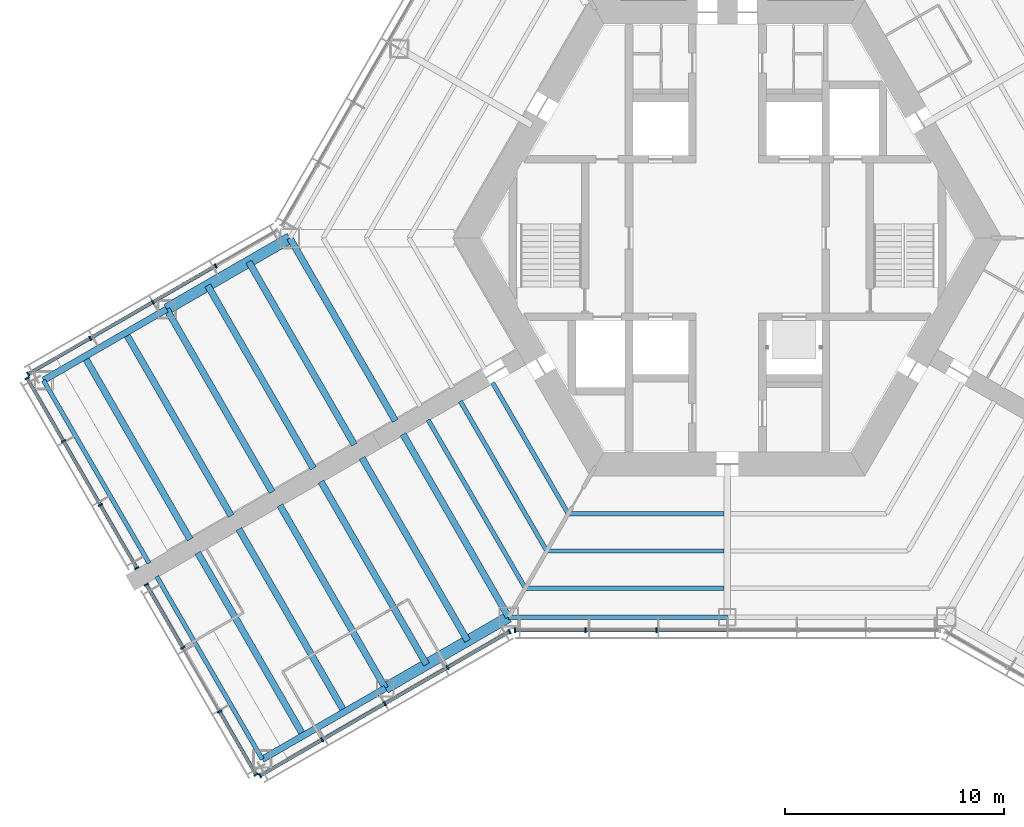
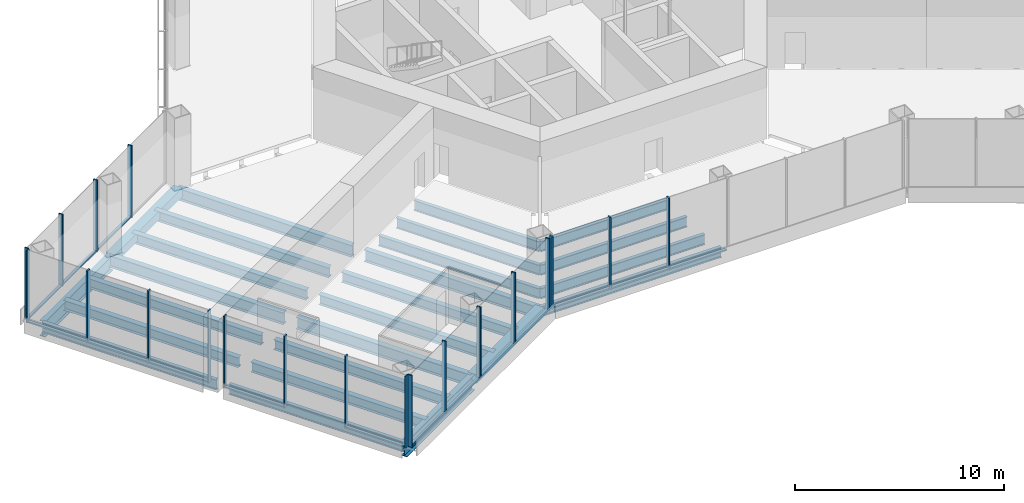
# One storey, part 2 of 18: 35 members, 25 beams, 5 elements without a shape of their own.
"""IFC4 building model written with IfcOpenShell, lengths in metres."""

from ifc_helpers import new_model, si_unit, direction, frame, origin, origin_2d, place, context, subcontext, project, spatial, rectangle, hollow_rectangle, i_section, extrude, material, material_profile, profile_set, type_object, element, aggregate, save


model = new_model("IFC4")

# Units and contexts
model_context = context("Model", 3, precision=1e-05, world=origin(), true_north=direction((0.0, 1.0)))
body_context = subcontext(model_context, "Body", "Model", "MODEL_VIEW")
ifc_project = project(units=[si_unit("LENGTHUNIT", "METRE"), si_unit("AREAUNIT", "SQUARE_METRE"), si_unit("VOLUMEUNIT", "CUBIC_METRE"), si_unit("PLANEANGLEUNIT", "RADIAN"), si_unit("MASSUNIT", "GRAM", prefix="KILO")], contexts=[model_context])

# Site, building, storey
site_placement = place(None, origin())
site = spatial("IfcSite", under=ifc_project, at=site_placement, CompositionType="ELEMENT")
building_placement = place(site_placement, origin())
building = spatial("IfcBuilding", under=site, at=building_placement, Name="Kasaneha Research Tower", CompositionType="ELEMENT")
storey_placement = place(building_placement, frame((0.0, 0.0, 57.0)))
storey = spatial("IfcBuildingStorey", under=building, at=storey_placement, Name="L14", CompositionType="ELEMENT", Elevation=57.0)

# Beams
ifc_material_1 = material(Name="Steel SN490B", Category="steel")
ifc_material_profile_1 = material_profile(ifc_material_1, i_section(OverallWidth=0.199951171875, OverallDepth=0.60009765625, WebThickness=0.010986328125, FlangeThickness=0.01708984375, FilletRadius=0.012939453125, at=origin_2d()), Name="H-600x200x11x17")
ifc_profile_set_1 = profile_set([ifc_material_profile_1], Name="Steel SN490B")
beam_type_1 = type_object("IfcBeamType", Name="B1-4 secondary beam H-600x200x11x17", PredefinedType="JOIST", material=ifc_profile_set_1)
beam_1_placement = place(storey_placement, frame((-7.274658203125, -12.60009765625, -0.469970703125), z_axis=(-0.499972710878, 0.866041158593, 0.0), x_axis=(-0.866041158593, -0.499972710878, 0.0)))
element("IfcBeam", 1, at=beam_1_placement, inside=storey, type_object=beam_type_1, Name="Secondary beam RS210R1 L14", PredefinedType="JOIST", context=body_context, shape_type="SweptSolid", body=[
    extrude(i_section(OverallWidth=0.199951171875, OverallDepth=0.60009765625, WebThickness=0.010986328125, FlangeThickness=0.01708984375, FilletRadius=0.012939453125, at=origin_2d()), origin(), (0.0, 0.0, 1.0), 6.9248046875),
])
beam_2_placement = place(storey_placement, frame((-8.256103515625, -14.300048828125, -0.469970703125), z_axis=(-0.500004902938, 0.866022573054, 0.0), x_axis=(-0.866022573054, -0.500004902938, 0.0)))
element("IfcBeam", 2, at=beam_2_placement, inside=storey, type_object=beam_type_1, Name="Secondary beam RS210R2 L14", PredefinedType="JOIST", context=body_context, shape_type="SweptSolid", body=[
    extrude(i_section(OverallWidth=0.199951171875, OverallDepth=0.60009765625, WebThickness=0.010986328125, FlangeThickness=0.01708984375, FilletRadius=0.012939453125, at=origin_2d()), origin(), (0.0, 0.0, 1.0), 7.90625),
])
beam_3_placement = place(storey_placement, frame((-9.237548828125, -16.0, -0.469970703125), z_axis=(-0.500009382636, 0.866019986649, 0.0), x_axis=(-0.866019986649, -0.500009382636, 0.0)))
element("IfcBeam", 3, at=beam_3_placement, inside=storey, type_object=beam_type_1, Name="Secondary beam RS210R3 L14", PredefinedType="JOIST", context=body_context, shape_type="SweptSolid", body=[
    extrude(i_section(OverallWidth=0.199951171875, OverallDepth=0.60009765625, WebThickness=0.010986328125, FlangeThickness=0.01708984375, FilletRadius=0.012939453125, at=origin_2d()), origin(), (0.0, 0.0, 1.0), 8.887451171875),
])
beam_4_placement = place(storey_placement, frame((-7.274658203125, -12.60009765625, -0.469970703125), z_axis=(1.0, 0.0, 0.0), x_axis=(0.0, 1.0, 0.0)))
element("IfcBeam", 4, at=beam_4_placement, inside=storey, type_object=beam_type_1, Name="Secondary beam RS270L1 L14", PredefinedType="JOIST", context=body_context, shape_type="SweptSolid", body=[
    extrude(i_section(OverallWidth=0.199951171875, OverallDepth=0.60009765625, WebThickness=0.010986328125, FlangeThickness=0.01708984375, FilletRadius=0.012939453125, at=origin_2d()), origin(), (0.0, 0.0, 1.0), 7.124755859375),
])
beam_5_placement = place(storey_placement, frame((-8.256103515625, -14.300048828125, -0.469970703125), z_axis=(1.0, 0.0, 0.0), x_axis=(0.0, 1.0, 0.0)))
element("IfcBeam", 5, at=beam_5_placement, inside=storey, type_object=beam_type_1, Name="Secondary beam RS270L2 L14", PredefinedType="JOIST", context=body_context, shape_type="SweptSolid", body=[
    extrude(i_section(OverallWidth=0.199951171875, OverallDepth=0.60009765625, WebThickness=0.010986328125, FlangeThickness=0.01708984375, FilletRadius=0.012939453125, at=origin_2d()), origin(), (0.0, 0.0, 1.0), 8.106201171875),
])
beam_6_placement = place(storey_placement, frame((-9.237548828125, -16.0, -0.469970703125), z_axis=(1.0, 0.0, 0.0), x_axis=(0.0, 1.0, 0.0)))
element("IfcBeam", 6, at=beam_6_placement, inside=storey, type_object=beam_type_1, Name="Secondary beam RS270L3 L14", PredefinedType="JOIST", context=body_context, shape_type="SweptSolid", body=[
    extrude(i_section(OverallWidth=0.199951171875, OverallDepth=0.60009765625, WebThickness=0.010986328125, FlangeThickness=0.01708984375, FilletRadius=0.012939453125, at=origin_2d()), origin(), (0.0, 0.0, 1.0), 9.087646484375),
])
ifc_material_2 = material(Name="Steel SN490B", Category="steel")
ifc_material_profile_2 = material_profile(ifc_material_2, i_section(OverallWidth=0.300048828125, OverallDepth=0.58203125, WebThickness=0.011962890625, FlangeThickness=0.01708984375, FilletRadius=0.012939453125, at=origin_2d()), Name="H-582x300x12x17")
ifc_profile_set_2 = profile_set([ifc_material_profile_2], Name="Steel SN490B")
beam_type_2 = type_object("IfcBeamType", Name="B2-4 secondary beam H-582x300x12x17", PredefinedType="JOIST", material=ifc_profile_set_2)
beam_7_placement = place(storey_placement, frame((-21.87646484375, -1.083251953125, -0.4609375), z_axis=(0.500013717211, -0.866017484004, 0.0), x_axis=(0.866017484004, 0.500013717211, 0.0)))
element("IfcBeam", 7, at=beam_7_placement, inside=storey, type_object=beam_type_2, Name="Secondary beam WBBP1 L14", PredefinedType="JOIST", context=body_context, shape_type="SweptSolid", body=[
    extrude(i_section(OverallWidth=0.300048828125, OverallDepth=0.58203125, WebThickness=0.011962890625, FlangeThickness=0.01708984375, FilletRadius=0.012939453125, at=origin_2d()), origin(), (0.0, 0.0, 1.0), 9.650146484375),
])
for number, where, z_axis, x_axis, name in (
    (8, (-23.752685546875, -2.166748046875, -0.4609375), (0.499994742786, -0.866028439017, 0.0), (0.866028439017, 0.499994742786, 0.0), "Secondary beam WBBP2 L14"),
    (9, (-27.505615234375, -4.333251953125, -0.4609375), (0.499994742786, -0.866028439017, 0.0), (0.866028439017, 0.499994742786, 0.0), "Secondary beam WBBP3 L14"),
    (10, (-29.3818359375, -5.416748046875, -0.4609375), (0.499994742786, -0.866028439017, 0.0), (0.866028439017, 0.499994742786, 0.0), "Secondary beam WBBP4 L14"),
    (11, (-11.87646484375, -18.40380859375, -0.4609375), (-0.499994742786, 0.866028439017, 0.0), (-0.866028439017, -0.499994742786, 0.0), "Secondary beam WBBN1 L14"),
    (12, (-13.752685546875, -19.487060546875, -0.4609375), (-0.500024672494, 0.866011158645, 0.0), (-0.866011158645, -0.500024672494, 0.0), "Secondary beam WBBN2 L14"),
    (13, (-17.505615234375, -21.65380859375, -0.4609375), (-0.499994742786, 0.866028439017, 0.0), (-0.866028439017, -0.499994742786, 0.0), "Secondary beam WBBN3 L14"),
    (14, (-19.3818359375, -22.737060546875, -0.4609375), (-0.500024672494, 0.866011158645, 0.0), (-0.866011158645, -0.500024672494, 0.0), "Secondary beam WBBN4 L14"),
):
    element("IfcBeam", number, at=place(storey_placement, frame(where, z_axis=z_axis, x_axis=x_axis)), inside=storey, type_object=beam_type_2, Name=name, PredefinedType="JOIST", context=body_context, shape_type="SweptSolid", body=[
        extrude(i_section(OverallWidth=0.300048828125, OverallDepth=0.58203125, WebThickness=0.011962890625, FlangeThickness=0.01708984375, FilletRadius=0.012939453125, at=origin_2d()), origin(), (0.0, 0.0, 1.0), 9.64990234375),
    ])
ifc_material_3 = material(Name="Steel SN490B", Category="steel")
ifc_material_profile_3 = material_profile(ifc_material_3, hollow_rectangle(XDim=0.5, YDim=0.5, WallThickness=0.02197265625, at=origin_2d()), Name="BOX-500x500x22")
ifc_profile_set_3 = profile_set([ifc_material_profile_3], Name="Steel SN490B")
beam_type_3 = type_object("IfcBeamType", Name="BC1-4 belt chord BOX-500x500x22", PredefinedType="BEAM", material=ifc_profile_set_3)
for number, where, z_axis, x_axis, name in (
    (15, (-20.0, 0.0, -0.419921875), (-0.866024837091, -0.50000098154, 0.0), (0.50000098154, -0.866024837091, 0.0), "Belt chord WSBP1 L14"),
    (16, (-10.0, -17.320556640625, -0.419921875), (-0.866024837091, -0.50000098154, 0.0), (0.50000098154, -0.866024837091, 0.0), "Belt chord WSBN1 L14"),
):
    element("IfcBeam", number, at=place(storey_placement, frame(where, z_axis=z_axis, x_axis=x_axis)), inside=storey, type_object=beam_type_3, Name=name, PredefinedType="BEAM", context=body_context, shape_type="SweptSolid", body=[
        extrude(hollow_rectangle(XDim=0.5, YDim=0.5, WallThickness=0.02197265625, at=origin_2d()), origin(), (0.0, 0.0, 1.0), 6.5),
    ])

# Curtain wall, members
ifc_material_4 = material(Name="Glass and aluminium", Category="aluminium")
curtain_wall_type = type_object("IfcCurtainWallType", Name="Sky lobby curtain wall", PredefinedType="USERDEFINED", material=ifc_material_4)
curtain_wall_1_placement = place(storey_placement, origin())
curtain_wall_1 = element("IfcCurtainWall", 17, at=curtain_wall_1_placement, inside=storey, type_object=curtain_wall_type, Name="CW-S L14 run 01a", ObjectType="UNITISED CURTAIN WALL", PredefinedType="USERDEFINED")
ifc_material_5 = material(Name="Aluminium 6063-T6", Category="aluminium")
ifc_material_profile_4 = material_profile(ifc_material_5, rectangle(XDim=0.070068359375, YDim=0.219970703125, at=origin_2d()), Name="CW-S mullion 70x220")
ifc_profile_set_4 = profile_set([ifc_material_profile_4], Name="Aluminium 6063-T6")
member_type_1 = type_object("IfcMemberType", Name="CW-S mullion", PredefinedType="MULLION", material=ifc_profile_set_4)
member_1_placement = place(storey_placement, frame((-21.361083984375, -24.572509765625, 0.0), z_axis=(0.0, 0.0, 1.0), x_axis=(0.866025411464, 0.499999986699, 0.0)))
member_1 = element("IfcMember", 18, at=member_1_placement, type_object=member_type_1, Name="CW-S mullion 1", PredefinedType="MULLION", context=body_context, shape_type="SweptSolid", body=[
    extrude(rectangle(XDim=0.070068359375, YDim=0.219970703125, at=origin_2d()), origin(), (0.0, 0.0, 1.0), 4.199951171875),
])
member_2_placement = place(storey_placement, frame((-18.52490234375, -22.935302734375, 0.0), z_axis=(0.0, 0.0, 1.0), x_axis=(0.866025411464, 0.499999986699, 0.0)))
member_2 = element("IfcMember", 19, at=member_2_placement, type_object=member_type_1, Name="CW-S mullion 2", PredefinedType="MULLION", context=body_context, shape_type="SweptSolid", body=[
    extrude(rectangle(XDim=0.070068359375, YDim=0.219970703125, at=origin_2d()), origin(), (0.0, 0.0, 1.0), 4.199951171875),
])
member_3_placement = place(storey_placement, frame((-15.65869140625, -21.2802734375, 0.0), z_axis=(0.0, 0.0, 1.0), x_axis=(0.866025411464, 0.499999986699, 0.0)))
member_3 = element("IfcMember", 20, at=member_3_placement, type_object=member_type_1, Name="CW-S mullion 3", PredefinedType="MULLION", context=body_context, shape_type="SweptSolid", body=[
    extrude(rectangle(XDim=0.070068359375, YDim=0.219970703125, at=origin_2d()), origin(), (0.0, 0.0, 1.0), 4.199951171875),
])
member_4_placement = place(storey_placement, frame((-12.792236328125, -19.62548828125, 0.0), z_axis=(0.0, 0.0, 1.0), x_axis=(0.866025411464, 0.499999986699, 0.0)))
member_4 = element("IfcMember", 21, at=member_4_placement, type_object=member_type_1, Name="CW-S mullion 4", PredefinedType="MULLION", context=body_context, shape_type="SweptSolid", body=[
    extrude(rectangle(XDim=0.070068359375, YDim=0.219970703125, at=origin_2d()), origin(), (0.0, 0.0, 1.0), 4.199951171875),
])
member_5_placement = place(storey_placement, frame((-9.9560546875, -17.988037109375, 0.0), z_axis=(0.0, 0.0, 1.0), x_axis=(0.866025411464, 0.499999986699, 0.0)))
member_5 = element("IfcMember", 22, at=member_5_placement, type_object=member_type_1, Name="CW-S mullion 5", PredefinedType="MULLION", context=body_context, shape_type="SweptSolid", body=[
    extrude(rectangle(XDim=0.070068359375, YDim=0.219970703125, at=origin_2d()), origin(), (0.0, 0.0, 1.0), 4.199951171875),
])

curtain_wall_2_placement = place(storey_placement, origin())
curtain_wall_2 = element("IfcCurtainWall", 23, at=curtain_wall_2_placement, inside=storey, type_object=curtain_wall_type, Name="CW-S L14 run 02a", ObjectType="UNITISED CURTAIN WALL", PredefinedType="USERDEFINED")
member_6_placement = place(storey_placement, frame((-9.704345703125, -17.92041015625, 0.0), z_axis=(0.0, 0.0, 1.0), x_axis=(1.0, 0.0, 0.0)))
member_6 = element("IfcMember", 24, at=member_6_placement, type_object=member_type_1, Name="CW-S mullion 1", PredefinedType="MULLION", context=body_context, shape_type="SweptSolid", body=[
    extrude(rectangle(XDim=0.070068359375, YDim=0.219970703125, at=origin_2d()), origin(), (0.0, 0.0, 1.0), 4.199951171875),
])
member_7_placement = place(storey_placement, frame((-6.492919921875, -17.92041015625, 0.0), z_axis=(0.0, 0.0, 1.0), x_axis=(1.0, 0.0, 0.0)))
member_7 = element("IfcMember", 25, at=member_7_placement, type_object=member_type_1, Name="CW-S mullion 2", PredefinedType="MULLION", context=body_context, shape_type="SweptSolid", body=[
    extrude(rectangle(XDim=0.070068359375, YDim=0.219970703125, at=origin_2d()), origin(), (0.0, 0.0, 1.0), 4.199951171875),
])
member_8_placement = place(storey_placement, frame((-3.246337890625, -17.92041015625, 0.0), z_axis=(0.0, 0.0, 1.0), x_axis=(1.0, 0.0, 0.0)))
member_8 = element("IfcMember", 26, at=member_8_placement, type_object=member_type_1, Name="CW-S mullion 3", PredefinedType="MULLION", context=body_context, shape_type="SweptSolid", body=[
    extrude(rectangle(XDim=0.070068359375, YDim=0.219970703125, at=origin_2d()), origin(), (0.0, 0.0, 1.0), 4.199951171875),
])

curtain_wall_3_placement = place(storey_placement, origin())
curtain_wall_3 = element("IfcCurtainWall", 27, at=curtain_wall_3_placement, inside=storey, type_object=curtain_wall_type, Name="CW-S L14 run 13a", ObjectType="UNITISED CURTAIN WALL", PredefinedType="USERDEFINED")
member_9_placement = place(storey_placement, frame((-23.39208984375, -1.265625, 0.0), z_axis=(0.0, 0.0, 1.0), x_axis=(-0.866025411464, -0.499999986699, 0.0)))
member_9 = element("IfcMember", 28, at=member_9_placement, type_object=member_type_1, Name="CW-S mullion 2", PredefinedType="MULLION", context=body_context, shape_type="SweptSolid", body=[
    extrude(rectangle(XDim=0.070068359375, YDim=0.219970703125, at=origin_2d()), origin(), (0.0, 0.0, 1.0), 4.199951171875),
])
member_10_placement = place(storey_placement, frame((-26.258544921875, -2.920654296875, 0.0), z_axis=(0.0, 0.0, 1.0), x_axis=(-0.866025411464, -0.499999986699, 0.0)))
member_10 = element("IfcMember", 29, at=member_10_placement, type_object=member_type_1, Name="CW-S mullion 3", PredefinedType="MULLION", context=body_context, shape_type="SweptSolid", body=[
    extrude(rectangle(XDim=0.070068359375, YDim=0.219970703125, at=origin_2d()), origin(), (0.0, 0.0, 1.0), 4.199951171875),
])
member_11_placement = place(storey_placement, frame((-29.125, -4.575439453125, 0.0), z_axis=(0.0, 0.0, 1.0), x_axis=(-0.866025411464, -0.499999986699, 0.0)))
member_11 = element("IfcMember", 30, at=member_11_placement, type_object=member_type_1, Name="CW-S mullion 4", PredefinedType="MULLION", context=body_context, shape_type="SweptSolid", body=[
    extrude(rectangle(XDim=0.070068359375, YDim=0.219970703125, at=origin_2d()), origin(), (0.0, 0.0, 1.0), 4.199951171875),
])
member_12_placement = place(storey_placement, frame((-31.9609375, -6.212890625, 0.0), z_axis=(0.0, 0.0, 1.0), x_axis=(-0.866025411464, -0.499999986699, 0.0)))
member_12 = element("IfcMember", 31, at=member_12_placement, type_object=member_type_1, Name="CW-S mullion 5", PredefinedType="MULLION", context=body_context, shape_type="SweptSolid", body=[
    extrude(rectangle(XDim=0.070068359375, YDim=0.219970703125, at=origin_2d()), origin(), (0.0, 0.0, 1.0), 4.199951171875),
])

curtain_wall_4_placement = place(storey_placement, origin())
curtain_wall_4 = element("IfcCurtainWall", 32, at=curtain_wall_4_placement, inside=storey, type_object=curtain_wall_type, Name="CW-S L14 run 14a", ObjectType="UNITISED CURTAIN WALL", PredefinedType="USERDEFINED")
member_13_placement = place(storey_placement, frame((-32.010498046875, -6.397216796875, 0.0), z_axis=(0.0, 0.0, 1.0), x_axis=(0.500000011442, -0.866025397178, 0.0)))
member_13 = element("IfcMember", 33, at=member_13_placement, type_object=member_type_1, Name="CW-S mullion 1", PredefinedType="MULLION", context=body_context, shape_type="SweptSolid", body=[
    extrude(rectangle(XDim=0.070068359375, YDim=0.219970703125, at=origin_2d()), origin(), (0.0, 0.0, 1.0), 4.199951171875),
])
member_14_placement = place(storey_placement, frame((-30.3447265625, -9.28271484375, 0.0), z_axis=(0.0, 0.0, 1.0), x_axis=(0.500000011442, -0.866025397178, 0.0)))
member_14 = element("IfcMember", 34, at=member_14_placement, type_object=member_type_1, Name="CW-S mullion 2", PredefinedType="MULLION", context=body_context, shape_type="SweptSolid", body=[
    extrude(rectangle(XDim=0.070068359375, YDim=0.219970703125, at=origin_2d()), origin(), (0.0, 0.0, 1.0), 4.199951171875),
])
member_15_placement = place(storey_placement, frame((-28.661376953125, -12.1982421875, 0.0), z_axis=(0.0, 0.0, 1.0), x_axis=(0.500000011442, -0.866025397178, 0.0)))
member_15 = element("IfcMember", 35, at=member_15_placement, type_object=member_type_1, Name="CW-S mullion 3", PredefinedType="MULLION", context=body_context, shape_type="SweptSolid", body=[
    extrude(rectangle(XDim=0.070068359375, YDim=0.219970703125, at=origin_2d()), origin(), (0.0, 0.0, 1.0), 4.199951171875),
])
member_16_placement = place(storey_placement, frame((-26.995361328125, -15.08349609375, 0.0), z_axis=(0.0, 0.0, 1.0), x_axis=(0.500000011442, -0.866025397178, 0.0)))
member_16 = element("IfcMember", 36, at=member_16_placement, type_object=member_type_1, Name="CW-S mullion 4", PredefinedType="MULLION", context=body_context, shape_type="SweptSolid", body=[
    extrude(rectangle(XDim=0.070068359375, YDim=0.219970703125, at=origin_2d()), origin(), (0.0, 0.0, 1.0), 4.199951171875),
])

curtain_wall_5_placement = place(storey_placement, origin())
curtain_wall_5 = element("IfcCurtainWall", 37, at=curtain_wall_5_placement, inside=storey, type_object=curtain_wall_type, Name="CW-S L14 run 15a", ObjectType="UNITISED CURTAIN WALL", PredefinedType="USERDEFINED")
member_17_placement = place(storey_placement, frame((-26.560546875, -15.8369140625, 0.0), z_axis=(0.0, 0.0, 1.0), x_axis=(0.500000011442, -0.866025397178, 0.0)))
member_17 = element("IfcMember", 38, at=member_17_placement, type_object=member_type_1, Name="CW-S mullion 1", PredefinedType="MULLION", context=body_context, shape_type="SweptSolid", body=[
    extrude(rectangle(XDim=0.070068359375, YDim=0.219970703125, at=origin_2d()), origin(), (0.0, 0.0, 1.0), 4.199951171875),
])
member_18_placement = place(storey_placement, frame((-24.89453125, -18.72216796875, 0.0), z_axis=(0.0, 0.0, 1.0), x_axis=(0.500000011442, -0.866025397178, 0.0)))
member_18 = element("IfcMember", 39, at=member_18_placement, type_object=member_type_1, Name="CW-S mullion 2", PredefinedType="MULLION", context=body_context, shape_type="SweptSolid", body=[
    extrude(rectangle(XDim=0.070068359375, YDim=0.219970703125, at=origin_2d()), origin(), (0.0, 0.0, 1.0), 4.199951171875),
])
member_19_placement = place(storey_placement, frame((-23.211181640625, -21.637939453125, 0.0), z_axis=(0.0, 0.0, 1.0), x_axis=(0.500000011442, -0.866025397178, 0.0)))
member_19 = element("IfcMember", 40, at=member_19_placement, type_object=member_type_1, Name="CW-S mullion 3", PredefinedType="MULLION", context=body_context, shape_type="SweptSolid", body=[
    extrude(rectangle(XDim=0.070068359375, YDim=0.219970703125, at=origin_2d()), origin(), (0.0, 0.0, 1.0), 4.199951171875),
])
member_20_placement = place(storey_placement, frame((-21.54541015625, -24.523193359375, 0.0), z_axis=(0.0, 0.0, 1.0), x_axis=(0.500000011442, -0.866025397178, 0.0)))
member_20 = element("IfcMember", 41, at=member_20_placement, type_object=member_type_1, Name="CW-S mullion 4", PredefinedType="MULLION", context=body_context, shape_type="SweptSolid", body=[
    extrude(rectangle(XDim=0.070068359375, YDim=0.219970703125, at=origin_2d()), origin(), (0.0, 0.0, 1.0), 4.199951171875),
])

# Member
ifc_material_6 = material(Name="Aluminium 6063-T6", Category="aluminium")
ifc_material_profile_5 = material_profile(ifc_material_6, rectangle(XDim=0.159912109375, YDim=0.070068359375, at=origin_2d()), Name="CW-S transom 160x70")
ifc_profile_set_5 = profile_set([ifc_material_profile_5], Name="Aluminium 6063-T6")
member_type_2 = type_object("IfcMemberType", Name="CW-S transom", PredefinedType="USERDEFINED", material=ifc_profile_set_5)
member_21_placement = place(storey_placement, frame((-21.330810546875, -24.55517578125, 0.034912109375), z_axis=(0.866021947353, 0.500005986668, 0.0), x_axis=(-0.500005986668, 0.866021947353, 0.0)))
member_21 = element("IfcMember", 42, at=member_21_placement, type_object=member_type_2, Name="CW-S transom 1", ObjectType="TRANSOM", PredefinedType="USERDEFINED", context=body_context, shape_type="SweptSolid", body=[
    extrude(rectangle(XDim=0.159912109375, YDim=0.070068359375, at=origin_2d()), origin(), (0.0, 0.0, 1.0), 3.205078125),
])

member_22_placement = place(storey_placement, frame((-18.49462890625, -22.917724609375, 0.034912109375), z_axis=(0.866022443901, 0.500005126634, 0.0), x_axis=(-0.500005126634, 0.866022443901, 0.0)))
member_22 = element("IfcMember", 43, at=member_22_placement, type_object=member_type_2, Name="CW-S transom 2", ObjectType="TRANSOM", PredefinedType="USERDEFINED", context=body_context, shape_type="SweptSolid", body=[
    extrude(rectangle(XDim=0.159912109375, YDim=0.070068359375, at=origin_2d()), origin(), (0.0, 0.0, 1.0), 3.23974609375),
])

member_23_placement = place(storey_placement, frame((-15.628173828125, -21.2626953125, 0.034912109375), z_axis=(0.866022443901, 0.500005126634, 0.0), x_axis=(-0.500005126634, 0.866022443901, 0.0)))
member_23 = element("IfcMember", 44, at=member_23_placement, type_object=member_type_2, Name="CW-S transom 3", ObjectType="TRANSOM", PredefinedType="USERDEFINED", context=body_context, shape_type="SweptSolid", body=[
    extrude(rectangle(XDim=0.159912109375, YDim=0.070068359375, at=origin_2d()), origin(), (0.0, 0.0, 1.0), 3.23974609375),
])

member_24_placement = place(storey_placement, frame((-12.761962890625, -19.60791015625, 0.034912109375), z_axis=(0.866035889079, 0.499981838497, 0.0), x_axis=(-0.499981838497, 0.866035889079, 0.0)))
member_24 = element("IfcMember", 45, at=member_24_placement, type_object=member_type_2, Name="CW-S transom 4", ObjectType="TRANSOM", PredefinedType="USERDEFINED", context=body_context, shape_type="SweptSolid", body=[
    extrude(rectangle(XDim=0.159912109375, YDim=0.070068359375, at=origin_2d()), origin(), (0.0, 0.0, 1.0), 3.20458984375),
])

aggregate(curtain_wall_1, [member_1, member_2, member_3, member_4, member_5, member_21, member_22, member_23, member_24])

member_25_placement = place(storey_placement, frame((-9.669189453125, -17.92041015625, 0.034912109375), z_axis=(1.0, 0.0, 0.0), x_axis=(0.0, 1.0, 0.0)))
member_25 = element("IfcMember", 46, at=member_25_placement, type_object=member_type_2, Name="CW-S transom 1", ObjectType="TRANSOM", PredefinedType="USERDEFINED", context=body_context, shape_type="SweptSolid", body=[
    extrude(rectangle(XDim=0.159912109375, YDim=0.070068359375, at=origin_2d()), origin(), (0.0, 0.0, 1.0), 3.141357421875),
])

member_26_placement = place(storey_placement, frame((-6.457763671875, -17.92041015625, 0.034912109375), z_axis=(1.0, 0.0, 0.0), x_axis=(0.0, 1.0, 0.0)))
member_26 = element("IfcMember", 47, at=member_26_placement, type_object=member_type_2, Name="CW-S transom 2", ObjectType="TRANSOM", PredefinedType="USERDEFINED", context=body_context, shape_type="SweptSolid", body=[
    extrude(rectangle(XDim=0.159912109375, YDim=0.070068359375, at=origin_2d()), origin(), (0.0, 0.0, 1.0), 3.17626953125),
])

member_27_placement = place(storey_placement, frame((-3.21142578125, -17.92041015625, 0.034912109375), z_axis=(1.0, 0.0, 0.0), x_axis=(0.0, 1.0, 0.0)))
member_27 = element("IfcMember", 48, at=member_27_placement, type_object=member_type_2, Name="CW-S transom 3", ObjectType="TRANSOM", PredefinedType="USERDEFINED", context=body_context, shape_type="SweptSolid", body=[
    extrude(rectangle(XDim=0.159912109375, YDim=0.070068359375, at=origin_2d()), origin(), (0.0, 0.0, 1.0), 3.176513671875),
])

aggregate(curtain_wall_2, [member_6, member_7, member_8, member_25, member_26, member_27])

member_28_placement = place(storey_placement, frame((-23.422607421875, -1.283203125, 0.034912109375), z_axis=(-0.866022443901, -0.500005126634, 0.0), x_axis=(0.500005126634, -0.866022443901, 0.0)))
member_28 = element("IfcMember", 49, at=member_28_placement, type_object=member_type_2, Name="CW-S transom 2", ObjectType="TRANSOM", PredefinedType="USERDEFINED", context=body_context, shape_type="SweptSolid", body=[
    extrude(rectangle(XDim=0.159912109375, YDim=0.070068359375, at=origin_2d()), origin(), (0.0, 0.0, 1.0), 3.23974609375),
])

member_29_placement = place(storey_placement, frame((-26.288818359375, -2.93798828125, 0.034912109375), z_axis=(-0.866041282123, -0.499972496902, 0.0), x_axis=(0.499972496902, -0.866041282123, 0.0)))
member_29 = element("IfcMember", 50, at=member_29_placement, type_object=member_type_2, Name="CW-S transom 3", ObjectType="TRANSOM", PredefinedType="USERDEFINED", context=body_context, shape_type="SweptSolid", body=[
    extrude(rectangle(XDim=0.159912109375, YDim=0.070068359375, at=origin_2d()), origin(), (0.0, 0.0, 1.0), 3.239990234375),
])

member_30_placement = place(storey_placement, frame((-29.1552734375, -4.593017578125, 0.034912109375), z_axis=(-0.866035889079, -0.499981838497, 0.0), x_axis=(0.499981838497, -0.866035889079, 0.0)))
member_30 = element("IfcMember", 51, at=member_30_placement, type_object=member_type_2, Name="CW-S transom 4", ObjectType="TRANSOM", PredefinedType="USERDEFINED", context=body_context, shape_type="SweptSolid", body=[
    extrude(rectangle(XDim=0.159912109375, YDim=0.070068359375, at=origin_2d()), origin(), (0.0, 0.0, 1.0), 3.20458984375),
])

aggregate(curtain_wall_3, [member_9, member_10, member_11, member_12, member_28, member_29, member_30])

member_31_placement = place(storey_placement, frame((-31.992919921875, -6.427490234375, 0.034912109375), z_axis=(0.500003221507, -0.866023543838, 0.0), x_axis=(0.866023543838, 0.500003221507, 0.0)))
member_31 = element("IfcMember", 52, at=member_31_placement, type_object=member_type_2, Name="CW-S transom 1", ObjectType="TRANSOM", PredefinedType="USERDEFINED", context=body_context, shape_type="SweptSolid", body=[
    extrude(rectangle(XDim=0.159912109375, YDim=0.070068359375, at=origin_2d()), origin(), (0.0, 0.0, 1.0), 3.26171875),
])

member_32_placement = place(storey_placement, frame((-30.3271484375, -9.31298828125, 0.034912109375), z_axis=(0.500025879676, -0.866010461631, 0.0), x_axis=(0.866010461631, 0.500025879676, 0.0)))
member_32 = element("IfcMember", 53, at=member_32_placement, type_object=member_type_2, Name="CW-S transom 2", ObjectType="TRANSOM", PredefinedType="USERDEFINED", context=body_context, shape_type="SweptSolid", body=[
    extrude(rectangle(XDim=0.159912109375, YDim=0.070068359375, at=origin_2d()), origin(), (0.0, 0.0, 1.0), 3.296630859375),
])

member_33_placement = place(storey_placement, frame((-28.643798828125, -12.228515625, 0.034912109375), z_axis=(0.500003221507, -0.866023543838, 0.0), x_axis=(0.866023543838, 0.500003221507, 0.0)))
member_33 = element("IfcMember", 54, at=member_33_placement, type_object=member_type_2, Name="CW-S transom 3", ObjectType="TRANSOM", PredefinedType="USERDEFINED", context=body_context, shape_type="SweptSolid", body=[
    extrude(rectangle(XDim=0.159912109375, YDim=0.070068359375, at=origin_2d()), origin(), (0.0, 0.0, 1.0), 3.26171875),
])

aggregate(curtain_wall_4, [member_13, member_14, member_15, member_16, member_31, member_32, member_33])

member_34_placement = place(storey_placement, frame((-26.54296875, -15.8671875, 0.034912109375), z_axis=(0.500003221507, -0.866023543838, 0.0), x_axis=(0.866023543838, 0.500003221507, 0.0)))
member_34 = element("IfcMember", 55, at=member_34_placement, type_object=member_type_2, Name="CW-S transom 1", ObjectType="TRANSOM", PredefinedType="USERDEFINED", context=body_context, shape_type="SweptSolid", body=[
    extrude(rectangle(XDim=0.159912109375, YDim=0.070068359375, at=origin_2d()), origin(), (0.0, 0.0, 1.0), 3.26171875),
])

member_35_placement = place(storey_placement, frame((-23.19384765625, -21.668212890625, 0.034912109375), z_axis=(0.500003221507, -0.866023543838, 0.0), x_axis=(0.866023543838, 0.500003221507, 0.0)))
member_35 = element("IfcMember", 56, at=member_35_placement, type_object=member_type_2, Name="CW-S transom 3", ObjectType="TRANSOM", PredefinedType="USERDEFINED", context=body_context, shape_type="SweptSolid", body=[
    extrude(rectangle(XDim=0.159912109375, YDim=0.070068359375, at=origin_2d()), origin(), (0.0, 0.0, 1.0), 3.26171875),
])

aggregate(curtain_wall_5, [member_17, member_18, member_19, member_20, member_34, member_35])

# Beams
ifc_material_7 = material(Name="Steel SN490B", Category="steel")
ifc_material_profile_6 = material_profile(ifc_material_7, i_section(OverallWidth=0.300048828125, OverallDepth=0.69189453125, WebThickness=0.012939453125, FlangeThickness=0.02001953125, FilletRadius=0.01806640625, at=origin_2d()), Name="H-692x300x13x20")
ifc_profile_set_6 = profile_set([ifc_material_profile_6], Name="Steel SN490B")
beam_type_4 = type_object("IfcBeamType", Name="G3-4 plate edge girder H-692x300x13x20", PredefinedType="BEAM", material=ifc_profile_set_6)
for number, where, z_axis, x_axis, name in (
    (57, (-20.0, 0.0, -0.51611328125), (0.499994742786, -0.866028439017, 0.0), (0.866028439017, 0.499994742786, 0.0), "Plate edge girder PEBP L14"),
    (58, (-10.0, -17.320556640625, -0.51611328125), (-0.499994742786, 0.866028439017, 0.0), (-0.866028439017, -0.499994742786, 0.0), "Plate edge girder PEBN L14"),
):
    element("IfcBeam", number, at=place(storey_placement, frame(where, z_axis=z_axis, x_axis=x_axis)), inside=storey, type_object=beam_type_4, Name=name, PredefinedType="BEAM", context=body_context, shape_type="SweptSolid", body=[
        extrude(i_section(OverallWidth=0.300048828125, OverallDepth=0.69189453125, WebThickness=0.012939453125, FlangeThickness=0.02001953125, FilletRadius=0.01806640625, at=origin_2d()), origin(), (0.0, 0.0, 1.0), 9.64990234375),
    ])
ifc_material_8 = material(Name="Steel SN490B", Category="steel")
ifc_material_profile_7 = material_profile(ifc_material_8, i_section(OverallWidth=0.300048828125, OverallDepth=0.699951171875, WebThickness=0.012939453125, FlangeThickness=0.02392578125, FilletRadius=0.01806640625, at=origin_2d()), Name="H-700x300x13x24")
ifc_profile_set_7 = profile_set([ifc_material_profile_7], Name="Steel SN490B")
beam_type_5 = type_object("IfcBeamType", Name="G4-4 wing girder H-700x300x13x24", PredefinedType="BEAM", material=ifc_profile_set_7)
for number, where, z_axis, x_axis, name in (
    (59, (-25.629150390625, -3.25, -0.52001953125), (0.499994742786, -0.866028439017, 0.0), (0.866028439017, 0.499994742786, 0.0), "Wing girder WGBP L14"),
    (60, (-15.629150390625, -20.570556640625, -0.52001953125), (-0.499994742786, 0.866028439017, 0.0), (-0.866028439017, -0.499994742786, 0.0), "Wing girder WGBN L14"),
):
    element("IfcBeam", number, at=place(storey_placement, frame(where, z_axis=z_axis, x_axis=x_axis)), inside=storey, type_object=beam_type_5, Name=name, PredefinedType="BEAM", context=body_context, shape_type="SweptSolid", body=[
        extrude(i_section(OverallWidth=0.300048828125, OverallDepth=0.699951171875, WebThickness=0.012939453125, FlangeThickness=0.02392578125, FilletRadius=0.01806640625, at=origin_2d()), origin(), (0.0, 0.0, 1.0), 9.64990234375),
    ])
ifc_material_9 = material(Name="Steel SN490B", Category="steel")
ifc_material_profile_8 = material_profile(ifc_material_9, i_section(OverallWidth=0.198974609375, OverallDepth=0.595947265625, WebThickness=0.010009765625, FlangeThickness=0.014892578125, FilletRadius=0.012939453125, at=origin_2d()), Name="H-596x199x10x15")
ifc_profile_set_8 = profile_set([ifc_material_profile_8], Name="Steel SN490B")
beam_type_6 = type_object("IfcBeamType", Name="SB1-4 spandrel beam H-596x199x10x15", PredefinedType="SPANDREL", material=ifc_profile_set_8)
beam_8_placement = place(storey_placement, frame((-10.0, -17.320556640625, -0.468017578125), z_axis=(1.0, 0.0, 0.0), x_axis=(0.0, 1.0, 0.0)))
element("IfcBeam", 61, at=beam_8_placement, inside=storey, type_object=beam_type_6, Name="Spandrel beam SR270L L14", PredefinedType="SPANDREL", context=body_context, shape_type="SweptSolid", body=[
    extrude(i_section(OverallWidth=0.198974609375, OverallDepth=0.595947265625, WebThickness=0.010009765625, FlangeThickness=0.014892578125, FilletRadius=0.012939453125, at=origin_2d()), origin(), (0.0, 0.0, 1.0), 10.0),
])
ifc_material_10 = material(Name="Steel SN490B", Category="steel")
ifc_material_profile_9 = material_profile(ifc_material_10, i_section(OverallWidth=0.300048828125, OverallDepth=0.89990234375, WebThickness=0.01611328125, FlangeThickness=0.028076171875, FilletRadius=0.01806640625, at=origin_2d()), Name="H-900x300x16x28")
ifc_profile_set_9 = profile_set([ifc_material_profile_9], Name="Steel SN490B")
beam_type_7 = type_object("IfcBeamType", Name="SB2-4 spandrel beam H-900x300x16x28", PredefinedType="SPANDREL", material=ifc_profile_set_9)
for number, where, z_axis, x_axis, name in (
    (62, (-25.629150390625, -3.25, -0.6201171875), (-0.866024837091, -0.50000098154, 0.0), (0.50000098154, -0.866024837091, 0.0), "Spandrel beam WSBP2 L14"),
    (63, (-15.629150390625, -20.570556640625, -0.6201171875), (-0.866024837091, -0.50000098154, 0.0), (0.50000098154, -0.866024837091, 0.0), "Spandrel beam WSBN2 L14"),
):
    element("IfcBeam", number, at=place(storey_placement, frame(where, z_axis=z_axis, x_axis=x_axis)), inside=storey, type_object=beam_type_7, Name=name, PredefinedType="SPANDREL", context=body_context, shape_type="SweptSolid", body=[
        extrude(i_section(OverallWidth=0.300048828125, OverallDepth=0.89990234375, WebThickness=0.01611328125, FlangeThickness=0.028076171875, FilletRadius=0.01806640625, at=origin_2d()), origin(), (0.0, 0.0, 1.0), 6.5),
    ])
ifc_material_11 = material(Name="Steel SN490B", Category="steel")
ifc_material_profile_10 = material_profile(ifc_material_11, i_section(OverallWidth=0.199951171875, OverallDepth=0.60009765625, WebThickness=0.010986328125, FlangeThickness=0.01708984375, FilletRadius=0.012939453125, at=origin_2d()), Name="H-600x200x11x17")
ifc_profile_set_10 = profile_set([ifc_material_profile_10], Name="Steel SN490B")
beam_type_8 = type_object("IfcBeamType", Name="SB3-4 spandrel beam H-600x200x11x17", PredefinedType="SPANDREL", material=ifc_profile_set_10)
for number, where, z_axis, x_axis, name in (
    (64, (-31.25830078125, -6.5, -0.469970703125), (0.499994742786, -0.866028439017, 0.0), (0.866028439017, 0.499994742786, 0.0), "Spandrel beam WTBP L14"),
    (65, (-21.25830078125, -23.820556640625, -0.469970703125), (-0.499994742786, 0.866028439017, 0.0), (-0.866028439017, -0.499994742786, 0.0), "Spandrel beam WTBN L14"),
):
    element("IfcBeam", number, at=place(storey_placement, frame(where, z_axis=z_axis, x_axis=x_axis)), inside=storey, type_object=beam_type_8, Name=name, PredefinedType="SPANDREL", context=body_context, shape_type="SweptSolid", body=[
        extrude(i_section(OverallWidth=0.199951171875, OverallDepth=0.60009765625, WebThickness=0.010986328125, FlangeThickness=0.01708984375, FilletRadius=0.012939453125, at=origin_2d()), origin(), (0.0, 0.0, 1.0), 9.64990234375),
    ])

save(model, "model.ifc")
